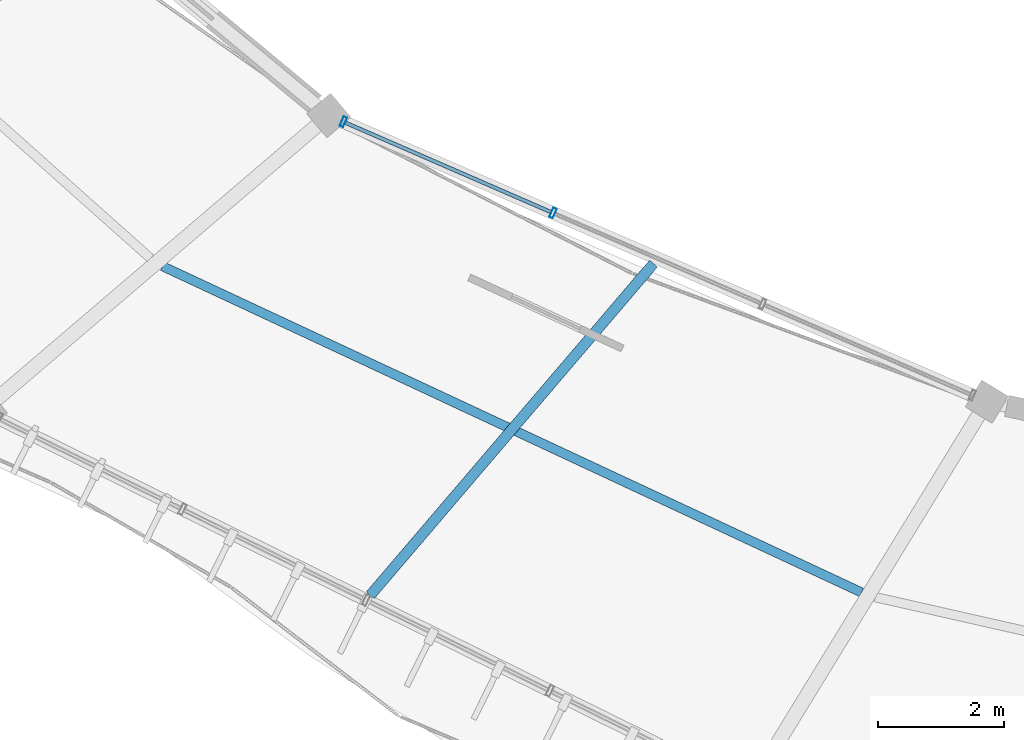
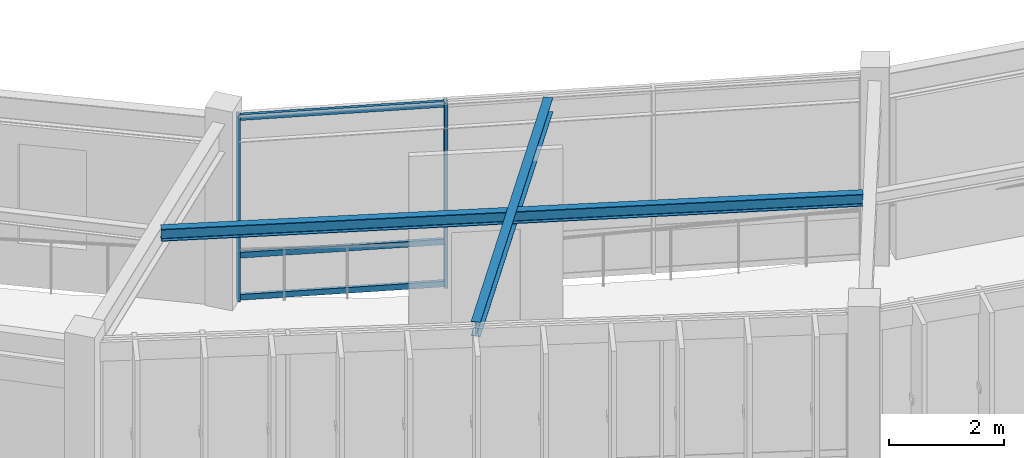
# One storey, part 6 of 79: 5 members, 2 beams, 1 element without a shape of its own.
"""IFC4 building model written with IfcOpenShell, lengths in metres."""

from ifc_helpers import new_model, si_unit, direction, frame, origin, origin_2d, place, context, subcontext, project, spatial, hollow_rectangle, i_section, extrude, material, material_profile, profile_set, type_object, element, aggregate, save


model = new_model("IFC4")

# Units and contexts
model_context = context("Model", 3, precision=1e-05, world=origin(), true_north=direction((0.0, 1.0)))
body_context = subcontext(model_context, "Body", "Model", "MODEL_VIEW")
ifc_project = project(units=[si_unit("LENGTHUNIT", "METRE"), si_unit("AREAUNIT", "SQUARE_METRE"), si_unit("VOLUMEUNIT", "CUBIC_METRE"), si_unit("PLANEANGLEUNIT", "RADIAN"), si_unit("MASSUNIT", "GRAM", prefix="KILO"), si_unit("THERMODYNAMICTEMPERATUREUNIT", "KELVIN"), si_unit("POWERUNIT", "WATT")], contexts=[model_context])

# Site, building, storey
site_placement = place(None, origin())
site = spatial("IfcSite", under=ifc_project, at=site_placement, CompositionType="ELEMENT")
building_placement = place(site_placement, origin())
building = spatial("IfcBuilding", under=site, at=building_placement, Name="Darbajah Civic Hall", CompositionType="ELEMENT")
storey_placement = place(building_placement, frame((0.0, 0.0, 22.199951171875)))
storey = spatial("IfcBuildingStorey", under=building, at=storey_placement, Name="L05", CompositionType="ELEMENT", Elevation=22.199951171875)

# Curtain wall, members
ifc_material_1 = material(Name="Anodised Bronze Aluminium and Low-E Glazing", Category="aluminium")
curtain_wall_type = type_object("IfcCurtainWallType", Name="Unitised Curtain Wall CW-63 10900x3900", PredefinedType="USERDEFINED", material=ifc_material_1)
curtain_wall_placement = place(storey_placement, origin())
curtain_wall = element("IfcCurtainWall", 1, at=curtain_wall_placement, inside=storey, type_object=curtain_wall_type, Name="L05 unitised curtain wall CW-V1I-L05-12", ObjectType="UNITISED CURTAIN WALL", PredefinedType="USERDEFINED")
ifc_material_2 = material(Name="Anodised Bronze Aluminium", Category="aluminium")
ifc_material_profile_1 = material_profile(ifc_material_2, hollow_rectangle(XDim=0.06005859375, YDim=0.159912109375, WallThickness=0.00341796875, at=origin_2d()), Name="ALU MULLION 60x160")
ifc_profile_set_1 = profile_set([ifc_material_profile_1], Name="Anodised Bronze Aluminium")
member_type_1 = type_object("IfcMemberType", Name="ALU MULLION 60x160", PredefinedType="MULLION", material=ifc_profile_set_1)
member_1_placement = place(storey_placement, frame((56.025390625, 75.216796875, 0.0), z_axis=(0.0, 0.0, 1.0), x_axis=(0.917060074385, -0.398749068925, 0.0)))
member_1 = element("IfcMember", 2, at=member_1_placement, type_object=member_type_1, Name="CW-V1I-L05-12 mullion 1", PredefinedType="MULLION", context=body_context, shape_type="SweptSolid", body=[
    extrude(hollow_rectangle(XDim=0.06005859375, YDim=0.159912109375, WallThickness=0.00341796875, at=origin_2d()), origin(), (0.0, 0.0, 1.0), 3.920166015625),
])
member_2_placement = place(storey_placement, frame((59.3447265625, 73.7734375, 0.0), z_axis=(0.0, 0.0, 1.0), x_axis=(0.917060074385, -0.398749068925, 0.0)))
member_2 = element("IfcMember", 3, at=member_2_placement, type_object=member_type_1, Name="CW-V1I-L05-12 mullion 2", PredefinedType="MULLION", context=body_context, shape_type="SweptSolid", body=[
    extrude(hollow_rectangle(XDim=0.06005859375, YDim=0.159912109375, WallThickness=0.00341796875, at=origin_2d()), origin(), (0.0, 0.0, 1.0), 3.920166015625),
])
ifc_material_profile_2 = material_profile(ifc_material_2, hollow_rectangle(XDim=0.06005859375, YDim=0.1201171875, WallThickness=0.003173828125, at=origin_2d()), Name="ALU TRANSOM 60x120")
ifc_profile_set_2 = profile_set([ifc_material_profile_2], Name="Anodised Bronze Aluminium")
member_type_2 = type_object("IfcMemberType", Name="ALU TRANSOM 60x120", PredefinedType="USERDEFINED", material=ifc_profile_set_2)
member_3_placement = place(storey_placement, frame((56.057373046875, 75.202880859375, 0.06005859375), z_axis=(0.917043810704, -0.398786470746, 0.0), x_axis=(0.398786470746, 0.917043810704, 0.0)))
member_3 = element("IfcMember", 4, at=member_3_placement, type_object=member_type_2, Name="CW-V1I-L05-12 transom 1.1", ObjectType="TRANSOM", PredefinedType="USERDEFINED", context=body_context, shape_type="SweptSolid", body=[
    extrude(hollow_rectangle(XDim=0.06005859375, YDim=0.1201171875, WallThickness=0.003173828125, at=origin_2d()), origin(), (0.0, 0.0, 1.0), 3.549560546875),
])
member_4_placement = place(storey_placement, frame((56.057373046875, 75.202880859375, 0.949951171875), z_axis=(0.917043810704, -0.398786470746, 0.0), x_axis=(0.398786470746, 0.917043810704, 0.0)))
member_4 = element("IfcMember", 5, at=member_4_placement, type_object=member_type_2, Name="CW-V1I-L05-12 transom 1.2", ObjectType="TRANSOM", PredefinedType="USERDEFINED", context=body_context, shape_type="SweptSolid", body=[
    extrude(hollow_rectangle(XDim=0.06005859375, YDim=0.1201171875, WallThickness=0.003173828125, at=origin_2d()), origin(), (0.0, 0.0, 1.0), 3.549560546875),
])
member_5_placement = place(storey_placement, frame((56.057373046875, 75.202880859375, 3.860107421875), z_axis=(0.917043810704, -0.398786470746, 0.0), x_axis=(0.398786470746, 0.917043810704, 0.0)))
member_5 = element("IfcMember", 6, at=member_5_placement, type_object=member_type_2, Name="CW-V1I-L05-12 transom 1.3", ObjectType="TRANSOM", PredefinedType="USERDEFINED", context=body_context, shape_type="SweptSolid", body=[
    extrude(hollow_rectangle(XDim=0.06005859375, YDim=0.1201171875, WallThickness=0.003173828125, at=origin_2d()), origin(), (0.0, 0.0, 1.0), 3.549560546875),
])
aggregate(curtain_wall, [member_1, member_2, member_3, member_4, member_5])

# Beams
ifc_material_3 = material(Name="Steel S355JR", Category="steel")
ifc_material_profile_3 = material_profile(ifc_material_3, i_section(OverallWidth=0.146484375, OverallDepth=0.256103515625, WebThickness=0.00634765625, FlangeThickness=0.010986328125, FilletRadius=0.007568359375, at=origin_2d()), Name="UB 254x146x37")
ifc_profile_set_3 = profile_set([ifc_material_profile_3], Name="Steel S355JR")
beam_type_1 = type_object("IfcBeamType", Name="UB 254x146x37", PredefinedType="JOIST", material=ifc_profile_set_3)
beam_1_placement = place(storey_placement, frame((53.161865234375, 72.93017578125, 3.7919921875), z_axis=(0.9061795649, -0.422893126164, 0.0), x_axis=(0.422893126164, 0.9061795649, 0.0)))
element("IfcBeam", 7, at=beam_1_placement, inside=storey, type_object=beam_type_1, Name="L05 beam SJ-254", PredefinedType="JOIST", context=body_context, shape_type="SweptSolid", body=[
    extrude(i_section(OverallWidth=0.146484375, OverallDepth=0.256103515625, WebThickness=0.00634765625, FlangeThickness=0.010986328125, FilletRadius=0.007568359375, at=origin_2d()), origin(), (0.0, 0.0, 1.0), 12.21240234375),
])
ifc_material_profile_4 = material_profile(ifc_material_3, i_section(OverallWidth=0.165771484375, OverallDepth=0.306640625, WebThickness=0.006591796875, FlangeThickness=0.01171875, FilletRadius=0.0087890625, at=origin_2d()), Name="UB 305x165x46")
ifc_profile_set_4 = profile_set([ifc_material_profile_4], Name="Steel S355JR")
beam_type_2 = type_object("IfcBeamType", Name="UB 305x165x46", PredefinedType="JOIST", material=ifc_profile_set_4)
beam_2_placement = place(storey_placement, frame((60.935546875, 72.97119140625, 3.766845703125), z_axis=(-0.649438991654, -0.760413700639, 0.0), x_axis=(0.760413700639, -0.649438991654, 0.0)))
element("IfcBeam", 8, at=beam_2_placement, inside=storey, type_object=beam_type_2, Name="L05 beam SJ-305", PredefinedType="JOIST", context=body_context, shape_type="SweptSolid", body=[
    extrude(i_section(OverallWidth=0.165771484375, OverallDepth=0.306640625, WebThickness=0.006591796875, FlangeThickness=0.01171875, FilletRadius=0.0087890625, at=origin_2d()), origin(), (0.0, 0.0, 1.0), 6.903564453125),
])

save(model, "model.ifc")
